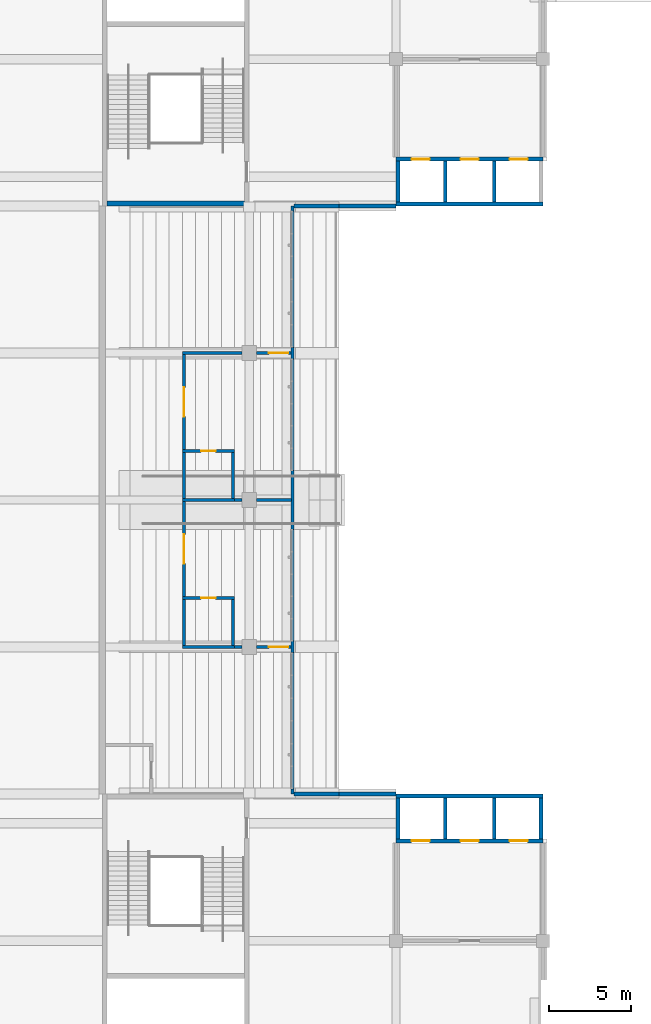
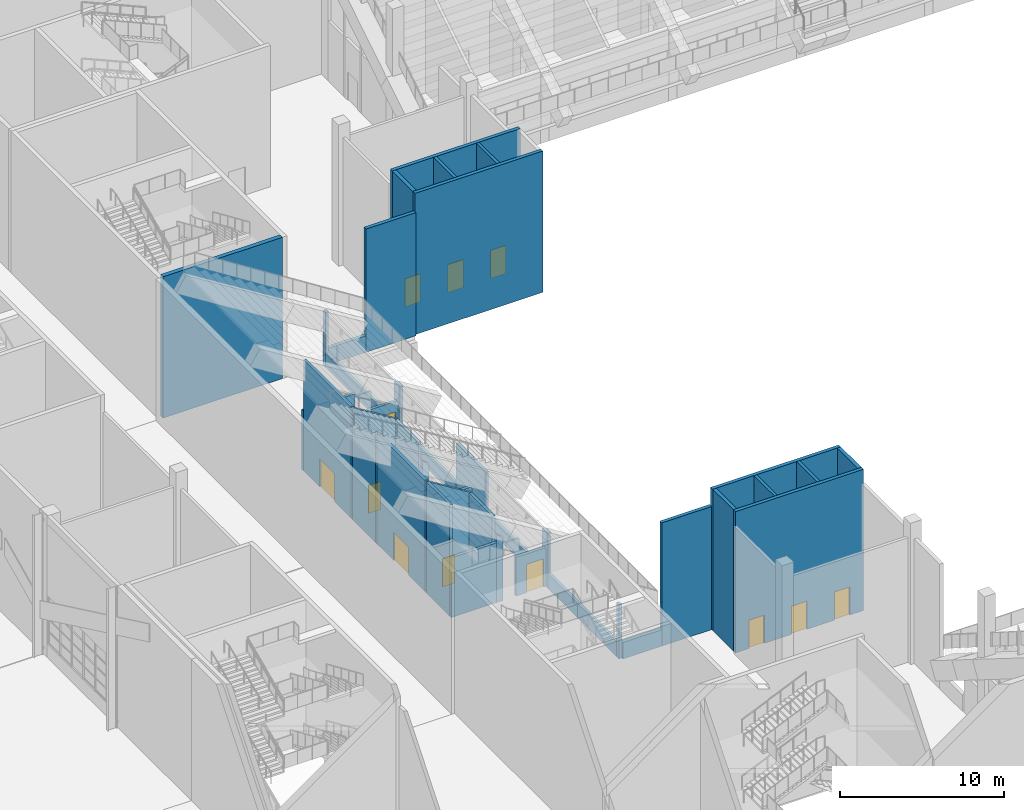
# One storey, part 84 of 182: 41 walls, 12 doors, 12 openings.
"""IFC4 building model written with IfcOpenShell, lengths in metres."""

from ifc_helpers import new_model, si_unit, direction, frame, frame_2d, origin, place, context, subcontext, project, spatial, polyline, rectangle, outline, extrude, material, layer, layer_set, type_object, element, fill, save


model = new_model("IFC4")

# Units and contexts
model_context = context("Model", 3, precision=1e-05, world=origin(), true_north=direction((0.0, 1.0)))
body_context = subcontext(model_context, "Body", "Model", "MODEL_VIEW")
ifc_project = project(units=[si_unit("LENGTHUNIT", "METRE"), si_unit("AREAUNIT", "SQUARE_METRE"), si_unit("VOLUMEUNIT", "CUBIC_METRE"), si_unit("PLANEANGLEUNIT", "RADIAN"), si_unit("MASSUNIT", "GRAM", prefix="KILO")], contexts=[model_context])

# Site, building, storey
site_placement = place(None, origin())
site = spatial("IfcSite", under=ifc_project, at=site_placement, CompositionType="ELEMENT")
building_placement = place(site_placement, origin())
building = spatial("IfcBuilding", under=site, at=building_placement, Name="Silverbay Arena", CompositionType="ELEMENT")
storey_placement = place(building_placement, frame((0.0, 0.0, 11.5)))
storey = spatial("IfcBuildingStorey", under=building, at=storey_placement, Name="L02", CompositionType="ELEMENT", Elevation=11.5)

# Walls
ifc_material_1 = material(Name="Concrete Grade C45", Category="concrete")
ifc_layer_1 = layer(ifc_material_1, 0.25)
ifc_layer_set_1 = layer_set([ifc_layer_1], Name="Concrete Grade C45")
wall_type_1 = type_object("IfcWallType", Name="Bowl enclosure wall RC 250 EI 120", PredefinedType="SOLIDWALL", material=ifc_layer_set_1)
for number, where, z_axis, x_axis, name in (
    (1, (86.5, 63.0, 0.0), (0.0, 0.0, 1.0), (1.0, 0.0, 0.0), "Bowl enclosure wall, corner block SW-y"),
    (2, (86.5, 99.0, 0.0), (0.0, 0.0, 1.0), (1.0, 0.0, 0.0), "Bowl enclosure wall, corner block NW-y"),
):
    element("IfcWall", number, at=place(storey_placement, frame(where, z_axis=z_axis, x_axis=x_axis)), inside=storey, type_object=wall_type_1, Name=name, PredefinedType="SOLIDWALL", context=body_context, shape_type="SweptSolid", body=[
        extrude(rectangle(XDim=3.5, YDim=0.25, at=frame_2d((1.75, 0.0))), origin(), (0.0, 0.0, 1.0), 9.14990234375),
    ])
for number, where, z_axis, x_axis, name in (
    (3, (83.75, 63.0, 0.0), (0.0, 0.0, 1.0), (1.0, 0.0, 0.0), "Bowl enclosure wall, corner block SW-y"),
    (4, (83.75, 99.0, 0.0), (0.0, 0.0, 1.0), (1.0, 0.0, 0.0), "Bowl enclosure wall, corner block NW-y"),
):
    element("IfcWall", number, at=place(storey_placement, frame(where, z_axis=z_axis, x_axis=x_axis)), inside=storey, type_object=wall_type_1, Name=name, PredefinedType="SOLIDWALL", context=body_context, shape_type="SweptSolid", body=[
        extrude(rectangle(XDim=2.75, YDim=0.25, at=frame_2d((1.375, 0.0))), origin(), (0.0, 0.0, 1.0), 1.217041015625),
    ])
ifc_material_2 = material(Name="Concrete Grade C45", Category="concrete")
ifc_layer_2 = layer(ifc_material_2, 0.300048828125)
ifc_layer_set_2 = layer_set([ifc_layer_2], Name="Concrete Grade C45")
wall_type_2 = type_object("IfcWallType", Name="Core wall RC 300 EI 120", PredefinedType="SHEAR", material=ifc_layer_set_2)
wall_1_placement = place(storey_placement, frame((80.699951171875, 99.14990234375, 0.0), z_axis=(0.0, 0.0, 1.0), x_axis=(-1.0, 0.0, 0.0)))
element("IfcWall", 5, at=wall_1_placement, inside=storey, type_object=wall_type_2, Name="Core wall ST-NW2 L02 end 1", PredefinedType="SHEAR", context=body_context, shape_type="SweptSolid", body=[
    extrude(rectangle(XDim=8.39990234375, YDim=0.300048828125, at=frame_2d((4.199951171875, 0.0))), origin(), (0.0, 0.0, 1.0), 10.5),
])
ifc_material_3 = material(Name="Concrete Grade C45", Category="concrete")
ifc_layer_3 = layer(ifc_material_3, 0.199951171875)
ifc_layer_set_3 = layer_set([ifc_layer_3], Name="Concrete Grade C45")
wall_type_3 = type_object("IfcWallType", Name="Lift shaft divider RC 200 EI 120", PredefinedType="SHEAR", material=ifc_layer_set_3)
for number, where, z_axis, x_axis, name in (
    (6, (93.0, 60.25, 0.0), (0.0, 0.0, 1.0), (0.0, 1.0, 0.0), "Lift shaft divider LB-SW L02 1"),
    (7, (96.0, 60.25, 0.0), (0.0, 0.0, 1.0), (0.0, 1.0, 0.0), "Lift shaft divider LB-SW L02 2"),
    (8, (93.0, 99.25, 0.0), (0.0, 0.0, 1.0), (0.0, 1.0, 0.0), "Lift shaft divider LB-NW L02 1"),
    (9, (96.0, 99.25, 0.0), (0.0, 0.0, 1.0), (0.0, 1.0, 0.0), "Lift shaft divider LB-NW L02 2"),
):
    element("IfcWall", number, at=place(storey_placement, frame(where, z_axis=z_axis, x_axis=x_axis)), inside=storey, type_object=wall_type_3, Name=name, PredefinedType="SHEAR", context=body_context, shape_type="SweptSolid", body=[
        extrude(rectangle(XDim=2.5, YDim=0.199951171875, at=frame_2d((1.25, 0.0))), origin(), (0.0, 0.0, 1.0), 10.5),
    ])

# Wall, openings, doors
ifc_material_4 = material(Name="Concrete Grade C45", Category="concrete")
ifc_layer_4 = layer(ifc_material_4, 0.25)
ifc_layer_set_4 = layer_set([ifc_layer_4], Name="Concrete Grade C45")
wall_type_4 = type_object("IfcWallType", Name="Lift shaft wall RC 250 EI 120", PredefinedType="SHEAR", material=ifc_layer_set_4)
wall_2_placement = place(storey_placement, frame((90.0, 60.125, 0.0), z_axis=(0.0, 0.0, 1.0), x_axis=(1.0, 0.0, 0.0)))
wall_2 = element("IfcWall", 10, at=wall_2_placement, inside=storey, type_object=wall_type_4, Name="Lift shaft wall LB-SW L02 landing side", PredefinedType="SHEAR", context=body_context, shape_type="SweptSolid", body=[
    extrude(rectangle(XDim=9.0, YDim=0.25, at=frame_2d((4.5, 0.0))), origin(), (0.0, 0.0, 1.0), 10.5),
])
opening_1_placement = place(wall_2_placement, frame((0.949951171875, 0.0, 0.0)))
opening_1 = element("IfcOpeningElement", 11, at=opening_1_placement, cuts=wall_2, Name="Opening L02-099", PredefinedType="OPENING", context=body_context, shape_type="SweptSolid", body=[
    extrude(rectangle(XDim=1.10009765625, YDim=2.10009765625, at=frame_2d((0.550048828125, 1.050048828125))), frame((0.0, 0.135009765625, 0.0), z_axis=(0.0, -1.0, 0.0), x_axis=(1.0, 0.0, 0.0)), (0.0, 0.0, 1.0), 0.27001953125),
])
opening_2_placement = place(wall_2_placement, frame((3.949951171875, 0.0, 0.0)))
opening_2 = element("IfcOpeningElement", 12, at=opening_2_placement, cuts=wall_2, Name="Opening L02-100", PredefinedType="OPENING", context=body_context, shape_type="SweptSolid", body=[
    extrude(rectangle(XDim=1.10009765625, YDim=2.10009765625, at=frame_2d((0.550048828125, 1.050048828125))), frame((0.0, 0.135009765625, 0.0), z_axis=(0.0, -1.0, 0.0), x_axis=(1.0, 0.0, 0.0)), (0.0, 0.0, 1.0), 0.27001953125),
])
opening_3_placement = place(wall_2_placement, frame((6.949951171875, 0.0, 0.0)))
opening_3 = element("IfcOpeningElement", 13, at=opening_3_placement, cuts=wall_2, Name="Opening L02-101", PredefinedType="OPENING", context=body_context, shape_type="SweptSolid", body=[
    extrude(rectangle(XDim=1.10009765625, YDim=2.10009765625, at=frame_2d((0.550048828125, 1.050048828125))), frame((0.0, 0.135009765625, 0.0), z_axis=(0.0, -1.0, 0.0), x_axis=(1.0, 0.0, 0.0)), (0.0, 0.0, 1.0), 0.27001953125),
])
ifc_material_5 = material(Name="Stainless steel", Category="steel")
door_type_1 = type_object("IfcDoorType", Name="LD1 lift landing door 1100 x 2100", OperationType="DOUBLE_DOOR_SLIDING", PredefinedType="DOOR", material=ifc_material_5)
door_1_placement = place(opening_1_placement, origin())
door_1 = element("IfcDoor", 14, at=door_1_placement, inside=storey, type_object=door_type_1, Name="Lift landing door LF2 L02", OperationType="DOUBLE_DOOR_SLIDING", OverallHeight=2.10009765625, OverallWidth=1.10009765625, PredefinedType="DOOR", context=body_context, shape_type="SweptSolid", body=[
    extrude(rectangle(XDim=1.10009765625, YDim=2.10009765625, at=frame_2d((0.550048828125, 1.050048828125))), frame((0.0, 0.02490234375, 0.0), z_axis=(0.0, -1.0, 0.0), x_axis=(1.0, 0.0, 0.0)), (0.0, 0.0, 1.0), 0.050048828125),
])
fill(opening_1, door_1)
door_2_placement = place(opening_2_placement, origin())
door_2 = element("IfcDoor", 15, at=door_2_placement, inside=storey, type_object=door_type_1, Name="Lift landing door LF4 L02", OperationType="DOUBLE_DOOR_SLIDING", OverallHeight=2.10009765625, OverallWidth=1.10009765625, PredefinedType="DOOR", context=body_context, shape_type="SweptSolid", body=[
    extrude(rectangle(XDim=1.10009765625, YDim=2.10009765625, at=frame_2d((0.550048828125, 1.050048828125))), frame((0.0, 0.02490234375, 0.0), z_axis=(0.0, -1.0, 0.0), x_axis=(1.0, 0.0, 0.0)), (0.0, 0.0, 1.0), 0.050048828125),
])
fill(opening_2, door_2)
door_3_placement = place(opening_3_placement, origin())
door_3 = element("IfcDoor", 16, at=door_3_placement, inside=storey, type_object=door_type_1, Name="Lift landing door LF5 L02", OperationType="DOUBLE_DOOR_SLIDING", OverallHeight=2.10009765625, OverallWidth=1.10009765625, PredefinedType="DOOR", context=body_context, shape_type="SweptSolid", body=[
    extrude(rectangle(XDim=1.10009765625, YDim=2.10009765625, at=frame_2d((0.550048828125, 1.050048828125))), frame((0.0, 0.02490234375, 0.0), z_axis=(0.0, -1.0, 0.0), x_axis=(1.0, 0.0, 0.0)), (0.0, 0.0, 1.0), 0.050048828125),
])
fill(opening_3, door_3)

# Walls
wall_3_placement = place(storey_placement, frame((90.0, 62.875, 0.0), z_axis=(0.0, 0.0, 1.0), x_axis=(1.0, 0.0, 0.0)))
element("IfcWall", 17, at=wall_3_placement, inside=storey, type_object=wall_type_4, Name="Lift shaft wall LB-SW L02 back", PredefinedType="SHEAR", context=body_context, shape_type="SweptSolid", body=[
    extrude(rectangle(XDim=9.0, YDim=0.25, at=frame_2d((4.5, 0.0))), origin(), (0.0, 0.0, 1.0), 10.5),
])
for number, where, z_axis, x_axis, name in (
    (18, (90.125, 60.25, 0.0), (0.0, 0.0, 1.0), (0.0, 1.0, 0.0), "Lift shaft wall LB-SW L02 end"),
    (19, (98.875, 60.25, 0.0), (0.0, 0.0, 1.0), (0.0, 1.0, 0.0), "Lift shaft wall LB-SW L02 end"),
):
    element("IfcWall", number, at=place(storey_placement, frame(where, z_axis=z_axis, x_axis=x_axis)), inside=storey, type_object=wall_type_4, Name=name, PredefinedType="SHEAR", context=body_context, shape_type="SweptSolid", body=[
        extrude(rectangle(XDim=2.5, YDim=0.25, at=frame_2d((1.25, 0.0))), origin(), (0.0, 0.0, 1.0), 10.5),
    ])

# Wall, openings, doors
wall_4_placement = place(storey_placement, frame((90.0, 101.875, 0.0), z_axis=(0.0, 0.0, 1.0), x_axis=(1.0, 0.0, 0.0)))
wall_4 = element("IfcWall", 20, at=wall_4_placement, inside=storey, type_object=wall_type_4, Name="Lift shaft wall LB-NW L02 landing side", PredefinedType="SHEAR", context=body_context, shape_type="SweptSolid", body=[
    extrude(rectangle(XDim=9.0, YDim=0.25, at=frame_2d((4.5, 0.0))), origin(), (0.0, 0.0, 1.0), 10.5),
])
opening_4_placement = place(wall_4_placement, frame((0.949951171875, 0.0, 0.0)))
opening_4 = element("IfcOpeningElement", 21, at=opening_4_placement, cuts=wall_4, Name="Opening L02-105", PredefinedType="OPENING", context=body_context, shape_type="SweptSolid", body=[
    extrude(rectangle(XDim=1.10009765625, YDim=2.10009765625, at=frame_2d((0.550048828125, 1.050048828125))), frame((0.0, 0.135009765625, 0.0), z_axis=(0.0, -1.0, 0.0), x_axis=(1.0, 0.0, 0.0)), (0.0, 0.0, 1.0), 0.27001953125),
])
opening_5_placement = place(wall_4_placement, frame((3.949951171875, 0.0, 0.0)))
opening_5 = element("IfcOpeningElement", 22, at=opening_5_placement, cuts=wall_4, Name="Opening L02-106", PredefinedType="OPENING", context=body_context, shape_type="SweptSolid", body=[
    extrude(rectangle(XDim=1.10009765625, YDim=2.10009765625, at=frame_2d((0.550048828125, 1.050048828125))), frame((0.0, 0.135009765625, 0.0), z_axis=(0.0, -1.0, 0.0), x_axis=(1.0, 0.0, 0.0)), (0.0, 0.0, 1.0), 0.27001953125),
])
opening_6_placement = place(wall_4_placement, frame((6.949951171875, 0.0, 0.0)))
opening_6 = element("IfcOpeningElement", 23, at=opening_6_placement, cuts=wall_4, Name="Opening L02-107", PredefinedType="OPENING", context=body_context, shape_type="SweptSolid", body=[
    extrude(rectangle(XDim=1.10009765625, YDim=2.10009765625, at=frame_2d((0.550048828125, 1.050048828125))), frame((0.0, 0.135009765625, 0.0), z_axis=(0.0, -1.0, 0.0), x_axis=(1.0, 0.0, 0.0)), (0.0, 0.0, 1.0), 0.27001953125),
])
door_4_placement = place(opening_4_placement, origin())
door_4 = element("IfcDoor", 24, at=door_4_placement, inside=storey, type_object=door_type_1, Name="Lift landing door LF9 L02", OperationType="DOUBLE_DOOR_SLIDING", OverallHeight=2.10009765625, OverallWidth=1.10009765625, PredefinedType="DOOR", context=body_context, shape_type="SweptSolid", body=[
    extrude(rectangle(XDim=1.10009765625, YDim=2.10009765625, at=frame_2d((0.550048828125, 1.050048828125))), frame((0.0, 0.02490234375, 0.0), z_axis=(0.0, -1.0, 0.0), x_axis=(1.0, 0.0, 0.0)), (0.0, 0.0, 1.0), 0.050048828125),
])
fill(opening_4, door_4)
door_5_placement = place(opening_5_placement, origin())
door_5 = element("IfcDoor", 25, at=door_5_placement, inside=storey, type_object=door_type_1, Name="Lift landing door LF10 L02", OperationType="DOUBLE_DOOR_SLIDING", OverallHeight=2.10009765625, OverallWidth=1.10009765625, PredefinedType="DOOR", context=body_context, shape_type="SweptSolid", body=[
    extrude(rectangle(XDim=1.10009765625, YDim=2.10009765625, at=frame_2d((0.550048828125, 1.050048828125))), frame((0.0, 0.02490234375, 0.0), z_axis=(0.0, -1.0, 0.0), x_axis=(1.0, 0.0, 0.0)), (0.0, 0.0, 1.0), 0.050048828125),
])
fill(opening_5, door_5)
door_6_placement = place(opening_6_placement, origin())
door_6 = element("IfcDoor", 26, at=door_6_placement, inside=storey, type_object=door_type_1, Name="Lift landing door LF11 L02", OperationType="DOUBLE_DOOR_SLIDING", OverallHeight=2.10009765625, OverallWidth=1.10009765625, PredefinedType="DOOR", context=body_context, shape_type="SweptSolid", body=[
    extrude(rectangle(XDim=1.10009765625, YDim=2.10009765625, at=frame_2d((0.550048828125, 1.050048828125))), frame((0.0, 0.02490234375, 0.0), z_axis=(0.0, -1.0, 0.0), x_axis=(1.0, 0.0, 0.0)), (0.0, 0.0, 1.0), 0.050048828125),
])
fill(opening_6, door_6)

# Walls
wall_5_placement = place(storey_placement, frame((90.0, 99.125, 0.0), z_axis=(0.0, 0.0, 1.0), x_axis=(1.0, 0.0, 0.0)))
element("IfcWall", 27, at=wall_5_placement, inside=storey, type_object=wall_type_4, Name="Lift shaft wall LB-NW L02 back", PredefinedType="SHEAR", context=body_context, shape_type="SweptSolid", body=[
    extrude(rectangle(XDim=9.0, YDim=0.25, at=frame_2d((4.5, 0.0))), origin(), (0.0, 0.0, 1.0), 10.5),
])
wall_6_placement = place(storey_placement, frame((90.125, 99.25, 0.0), z_axis=(0.0, 0.0, 1.0), x_axis=(0.0, 1.0, 0.0)))
element("IfcWall", 28, at=wall_6_placement, inside=storey, type_object=wall_type_4, Name="Lift shaft wall LB-NW L02 end", PredefinedType="SHEAR", context=body_context, shape_type="SweptSolid", body=[
    extrude(rectangle(XDim=2.5, YDim=0.25, at=frame_2d((1.25, 0.0))), origin(), (0.0, 0.0, 1.0), 10.5),
])
ifc_material_6 = material(Name="Masonry blockwork partition", Category="masonry")
ifc_layer_5 = layer(ifc_material_6, 0.199951171875)
ifc_layer_set_5 = layer_set([ifc_layer_5], Name="Masonry blockwork partition")
wall_type_5 = type_object("IfcWallType", Name="Partition 200 EI 120", PredefinedType="PARTITIONING", material=ifc_layer_set_5)
wall_7_placement = place(storey_placement, frame((76.89990234375, 81.0, 0.0), z_axis=(0.0, 0.0, 1.0), x_axis=(1.0, 0.0, 0.0)))
element("IfcWall", 29, at=wall_7_placement, inside=storey, type_object=wall_type_5, Name="Partition wall", PredefinedType="PARTITIONING", context=body_context, shape_type="SweptSolid", body=[
    extrude(rectangle(XDim=3.2001953125, YDim=0.199951171875, at=frame_2d((1.60009765625, 0.0))), origin(), (0.0, 0.0, 1.0), 4.43896484375),
])

# Wall, opening, door
wall_8_placement = place(storey_placement, frame((77.0, 75.10009765625, 0.0), z_axis=(0.0, 0.0, 1.0), x_axis=(0.0, 1.0, 0.0)))
wall_8 = element("IfcWall", 30, at=wall_8_placement, inside=storey, type_object=wall_type_5, Name="Partition wall", PredefinedType="PARTITIONING", context=body_context, shape_type="SweptSolid", body=[
    extrude(rectangle(XDim=5.7998046875, YDim=0.199951171875, at=frame_2d((2.89990234375, 0.0))), origin(), (0.0, 0.0, 1.0), 8.257568359375),
])
opening_7_placement = place(wall_8_placement, frame((2.0, 0.0, 0.0)))
opening_7 = element("IfcOpeningElement", 31, at=opening_7_placement, cuts=wall_8, Name="Opening L02-054", PredefinedType="OPENING", context=body_context, shape_type="SweptSolid", body=[
    extrude(rectangle(XDim=1.800048828125, YDim=2.10009765625, at=frame_2d((0.89990234375, 1.050048828125))), frame((0.0, 0.10986328125, 0.0), z_axis=(0.0, -1.0, 0.0), x_axis=(1.0, 0.0, 0.0)), (0.0, 0.0, 1.0), 0.219970703125),
])
ifc_material_7 = material(Name="Steel faced timber", Category="steel")
door_type_2 = type_object("IfcDoorType", Name="Double leaf door 1800 x 2100 FD120", OperationType="DOUBLE_DOOR_DOUBLE_SWING", PredefinedType="DOOR", material=ifc_material_7)
door_7_placement = place(opening_7_placement, frame((1.800048828125, 0.0, 0.0), z_axis=(0.0, 0.0, 1.0), x_axis=(-1.0, 0.0, 0.0)))
door_7 = element("IfcDoor", 32, at=door_7_placement, inside=storey, type_object=door_type_2, Name="Door L02-054", OperationType="DOUBLE_DOOR_DOUBLE_SWING", OverallHeight=2.10009765625, OverallWidth=1.800048828125, PredefinedType="DOOR", context=body_context, shape_type="SweptSolid", body=[
    extrude(rectangle(XDim=1.800048828125, YDim=2.10009765625, at=frame_2d((0.89990234375, 1.050048828125))), frame((0.0, 0.02490234375, 0.0), z_axis=(0.0, -1.0, 0.0), x_axis=(1.0, 0.0, 0.0)), (0.0, 0.0, 1.0), 0.050048828125),
])
fill(opening_7, door_7)

wall_9_placement = place(storey_placement, frame((77.0, 84.10009765625, 0.0), z_axis=(0.0, 0.0, 1.0), x_axis=(0.0, 1.0, 0.0)))
wall_9 = element("IfcWall", 33, at=wall_9_placement, inside=storey, type_object=wall_type_5, Name="Partition wall", PredefinedType="PARTITIONING", context=body_context, shape_type="SweptSolid", body=[
    extrude(rectangle(XDim=5.7998046875, YDim=0.199951171875, at=frame_2d((2.89990234375, 0.0))), origin(), (0.0, 0.0, 1.0), 8.257568359375),
])
opening_8_placement = place(wall_9_placement, frame((2.0, 0.0, 0.0)))
opening_8 = element("IfcOpeningElement", 34, at=opening_8_placement, cuts=wall_9, Name="Opening L02-056", PredefinedType="OPENING", context=body_context, shape_type="SweptSolid", body=[
    extrude(rectangle(XDim=1.800048828125, YDim=2.10009765625, at=frame_2d((0.89990234375, 1.050048828125))), frame((0.0, 0.10986328125, 0.0), z_axis=(0.0, -1.0, 0.0), x_axis=(1.0, 0.0, 0.0)), (0.0, 0.0, 1.0), 0.219970703125),
])
door_8_placement = place(opening_8_placement, frame((1.800048828125, 0.0, 0.0), z_axis=(0.0, 0.0, 1.0), x_axis=(-1.0, 0.0, 0.0)))
door_8 = element("IfcDoor", 35, at=door_8_placement, inside=storey, type_object=door_type_2, Name="Door L02-056", OperationType="DOUBLE_DOOR_DOUBLE_SWING", OverallHeight=2.10009765625, OverallWidth=1.800048828125, PredefinedType="DOOR", context=body_context, shape_type="SweptSolid", body=[
    extrude(rectangle(XDim=1.800048828125, YDim=2.10009765625, at=frame_2d((0.89990234375, 1.050048828125))), frame((0.0, 0.02490234375, 0.0), z_axis=(0.0, -1.0, 0.0), x_axis=(1.0, 0.0, 0.0)), (0.0, 0.0, 1.0), 0.050048828125),
])
fill(opening_8, door_8)

ifc_material_8 = material(Name="Gypsum board partition on steel studs", Category="steel")
ifc_layer_6 = layer(ifc_material_8, 0.199951171875)
ifc_layer_set_6 = layer_set([ifc_layer_6], Name="Gypsum board partition on steel studs")
wall_type_6 = type_object("IfcWallType", Name="Partition 200 EI 60", PredefinedType="PARTITIONING", material=ifc_layer_set_6)
wall_10_placement = place(storey_placement, frame((81.449951171875, 72.0, 0.0), z_axis=(0.0, 0.0, 1.0), x_axis=(1.0, 0.0, 0.0)))
wall_10 = element("IfcWall", 36, at=wall_10_placement, inside=storey, type_object=wall_type_6, Name="Partition wall", PredefinedType="PARTITIONING", context=body_context, shape_type="SweptSolid", body=[
    extrude(outline(polyline([(0.0, 0.0), (2.150146484375, 0.0), (2.14990234375, 2.83251953125), (2.0791015625, 2.876953125), (0.0, 2.876953125), (0.0, 0.0)])), frame((0.0, 0.10009765625, 0.0), z_axis=(0.0, -1.0, 0.0), x_axis=(1.0, 0.0, 0.0)), (0.0, 0.0, 1.0), 0.199951171875),
])
opening_9_placement = place(wall_10_placement, frame((0.75, 0.0, 0.0)))
opening_9 = element("IfcOpeningElement", 37, at=opening_9_placement, cuts=wall_10, Name="Opening L02-071", PredefinedType="OPENING", context=body_context, shape_type="SweptSolid", body=[
    extrude(rectangle(XDim=1.199951171875, YDim=2.10009765625, at=frame_2d((0.60009765625, 1.050048828125))), frame((0.0, 0.10986328125, 0.0), z_axis=(0.0, -1.0, 0.0), x_axis=(1.0, 0.0, 0.0)), (0.0, 0.0, 1.0), 0.219970703125),
])
ifc_material_9 = material(Name="Steel faced timber", Category="steel")
door_type_3 = type_object("IfcDoorType", Name="Double leaf door 1200 x 2100 FD120", OperationType="DOUBLE_DOOR_DOUBLE_SWING", PredefinedType="DOOR", material=ifc_material_9)
door_9_placement = place(opening_9_placement, origin())
door_9 = element("IfcDoor", 38, at=door_9_placement, inside=storey, type_object=door_type_3, Name="Door L02-071", OperationType="DOUBLE_DOOR_DOUBLE_SWING", OverallHeight=2.10009765625, OverallWidth=1.199951171875, PredefinedType="DOOR", context=body_context, shape_type="SweptSolid", body=[
    extrude(rectangle(XDim=1.199951171875, YDim=2.10009765625, at=frame_2d((0.60009765625, 1.050048828125))), frame((0.0, 0.02490234375, 0.0), z_axis=(0.0, -1.0, 0.0), x_axis=(1.0, 0.0, 0.0)), (0.0, 0.0, 1.0), 0.050048828125),
])
fill(opening_9, door_9)

# Walls
wall_11_placement = place(storey_placement, frame((80.10009765625, 72.0, 0.0), z_axis=(0.0, 0.0, 1.0), x_axis=(1.0, 0.0, 0.0)))
element("IfcWall", 39, at=wall_11_placement, inside=storey, type_object=wall_type_6, Name="Partition wall", PredefinedType="PARTITIONING", context=body_context, shape_type="SweptSolid", body=[
    extrude(outline(polyline([(0.0, 0.0), (0.449951171875, 0.0), (0.449951171875, 4.73876953125), (0.0, 5.02001953125), (0.0, 0.0)])), frame((0.0, 0.10009765625, 0.0), z_axis=(0.0, -1.0, 0.0), x_axis=(1.0, 0.0, 0.0)), (0.0, 0.0, 1.0), 0.199951171875),
])
wall_12_placement = place(storey_placement, frame((81.449951171875, 81.0, 0.0), z_axis=(0.0, 0.0, 1.0), x_axis=(1.0, 0.0, 0.0)))
element("IfcWall", 40, at=wall_12_placement, inside=storey, type_object=wall_type_6, Name="Partition wall", PredefinedType="PARTITIONING", context=body_context, shape_type="SweptSolid", body=[
    extrude(rectangle(XDim=2.150146484375, YDim=0.199951171875, at=frame_2d((1.0751953125, 0.0))), origin(), (0.0, 0.0, 1.0), 1.93896484375),
])
wall_13_placement = place(storey_placement, frame((80.10009765625, 81.0, 0.0), z_axis=(0.0, 0.0, 1.0), x_axis=(1.0, 0.0, 0.0)))
element("IfcWall", 41, at=wall_13_placement, inside=storey, type_object=wall_type_6, Name="Partition wall", PredefinedType="PARTITIONING", context=body_context, shape_type="SweptSolid", body=[
    extrude(outline(polyline([(0.0, 0.0), (0.449951171875, 0.0), (0.449951171875, 4.73876953125), (0.0, 5.02001953125), (0.0, 0.0)])), frame((0.0, 0.10009765625, 0.0), z_axis=(0.0, -1.0, 0.0), x_axis=(1.0, 0.0, 0.0)), (0.0, 0.0, 1.0), 0.199951171875),
])

# Wall, opening, door
wall_14_placement = place(storey_placement, frame((81.449951171875, 90.0, 0.0), z_axis=(0.0, 0.0, 1.0), x_axis=(1.0, 0.0, 0.0)))
wall_14 = element("IfcWall", 42, at=wall_14_placement, inside=storey, type_object=wall_type_6, Name="Partition wall", PredefinedType="PARTITIONING", context=body_context, shape_type="SweptSolid", body=[
    extrude(outline(polyline([(0.0, 0.0), (2.150146484375, 0.0), (2.14990234375, 2.83251953125), (2.0791015625, 2.876953125), (0.0, 2.876953125), (0.0, 0.0)])), frame((0.0, 0.10009765625, 0.0), z_axis=(0.0, -1.0, 0.0), x_axis=(1.0, 0.0, 0.0)), (0.0, 0.0, 1.0), 0.199951171875),
])
opening_10_placement = place(wall_14_placement, frame((0.75, 0.0, 0.0)))
opening_10 = element("IfcOpeningElement", 43, at=opening_10_placement, cuts=wall_14, Name="Opening L02-072", PredefinedType="OPENING", context=body_context, shape_type="SweptSolid", body=[
    extrude(rectangle(XDim=1.199951171875, YDim=2.10009765625, at=frame_2d((0.60009765625, 1.050048828125))), frame((0.0, 0.10986328125, 0.0), z_axis=(0.0, -1.0, 0.0), x_axis=(1.0, 0.0, 0.0)), (0.0, 0.0, 1.0), 0.219970703125),
])
door_10_placement = place(opening_10_placement, frame((1.199951171875, 0.0, 0.0), z_axis=(0.0, 0.0, 1.0), x_axis=(-1.0, 0.0, 0.0)))
door_10 = element("IfcDoor", 44, at=door_10_placement, inside=storey, type_object=door_type_3, Name="Door L02-072", OperationType="DOUBLE_DOOR_DOUBLE_SWING", OverallHeight=2.10009765625, OverallWidth=1.199951171875, PredefinedType="DOOR", context=body_context, shape_type="SweptSolid", body=[
    extrude(rectangle(XDim=1.199951171875, YDim=2.10009765625, at=frame_2d((0.60009765625, 1.050048828125))), frame((0.0, 0.02490234375, 0.0), z_axis=(0.0, -1.0, 0.0), x_axis=(1.0, 0.0, 0.0)), (0.0, 0.0, 1.0), 0.050048828125),
])
fill(opening_10, door_10)

# Walls
wall_15_placement = place(storey_placement, frame((76.89990234375, 90.0, 0.0), z_axis=(0.0, 0.0, 1.0), x_axis=(1.0, 0.0, 0.0)))
element("IfcWall", 45, at=wall_15_placement, inside=storey, type_object=wall_type_6, Name="Partition wall", PredefinedType="PARTITIONING", context=body_context, shape_type="SweptSolid", body=[
    extrude(rectangle(XDim=3.650146484375, YDim=0.199951171875, at=frame_2d((1.8251953125, 0.0))), origin(), (0.0, 0.0, 1.0), 4.43896484375),
])
ifc_material_10 = material(Name="Gypsum board partition on steel studs", Category="steel")
ifc_layer_7 = layer(ifc_material_10, 0.199951171875)
ifc_layer_set_7 = layer_set([ifc_layer_7], Name="Gypsum board partition on steel studs")
wall_type_7 = type_object("IfcWallType", Name="Partition 200 plain", PredefinedType="PARTITIONING", material=ifc_layer_set_7)
wall_16_placement = place(storey_placement, frame((76.89990234375, 72.0, 0.0), z_axis=(0.0, 0.0, 1.0), x_axis=(1.0, 0.0, 0.0)))
element("IfcWall", 46, at=wall_16_placement, inside=storey, type_object=wall_type_7, Name="Partition wall", PredefinedType="PARTITIONING", context=body_context, shape_type="SweptSolid", body=[
    extrude(rectangle(XDim=3.2001953125, YDim=0.199951171875, at=frame_2d((1.60009765625, 0.0))), origin(), (0.0, 0.0, 1.0), 4.43896484375),
])

# Wall, opening, door
wall_17_placement = place(storey_placement, frame((76.89990234375, 75.0, 0.0), z_axis=(0.0, 0.0, 1.0), x_axis=(1.0, 0.0, 0.0)))
wall_17 = element("IfcWall", 47, at=wall_17_placement, inside=storey, type_object=wall_type_7, Name="Partition wall", PredefinedType="PARTITIONING", context=body_context, shape_type="SweptSolid", body=[
    extrude(outline(polyline([(0.0, 0.0), (3.2001953125, 0.0), (3.199951171875, 6.320068359375), (2.28564453125, 6.891357421875), (0.0, 8.320068359375), (0.0, 0.0)])), frame((0.0, 0.10009765625, 0.0), z_axis=(0.0, -1.0, 0.0), x_axis=(1.0, 0.0, 0.0)), (0.0, 0.0, 1.0), 0.199951171875),
])
opening_11_placement = place(wall_17_placement, frame((1.14990234375, 0.0, 0.0)))
opening_11 = element("IfcOpeningElement", 48, at=opening_11_placement, cuts=wall_17, Name="Opening L02-055", PredefinedType="OPENING", context=body_context, shape_type="SweptSolid", body=[
    extrude(rectangle(XDim=0.89990234375, YDim=2.10009765625, at=frame_2d((0.449951171875, 1.050048828125))), frame((0.0, 0.10986328125, 0.0), z_axis=(0.0, -1.0, 0.0), x_axis=(1.0, 0.0, 0.0)), (0.0, 0.0, 1.0), 0.219970703125),
])
ifc_material_11 = material(Name="Timber", Category="wood")
door_type_4 = type_object("IfcDoorType", Name="Single leaf door 900 x 2100", OperationType="SINGLE_SWING_LEFT", PredefinedType="DOOR", material=ifc_material_11)
door_11_placement = place(opening_11_placement, frame((0.89990234375, 0.0, 0.0), z_axis=(0.0, 0.0, 1.0), x_axis=(-1.0, 0.0, 0.0)))
door_11 = element("IfcDoor", 49, at=door_11_placement, inside=storey, type_object=door_type_4, Name="Door L02-055", OperationType="SINGLE_SWING_RIGHT", OverallHeight=2.10009765625, OverallWidth=0.89990234375, PredefinedType="DOOR", context=body_context, shape_type="SweptSolid", body=[
    extrude(rectangle(XDim=0.89990234375, YDim=2.10009765625, at=frame_2d((0.449951171875, 1.050048828125))), frame((0.0, 0.02490234375, 0.0), z_axis=(0.0, -1.0, 0.0), x_axis=(1.0, 0.0, 0.0)), (0.0, 0.0, 1.0), 0.050048828125),
])
fill(opening_11, door_11)

wall_18_placement = place(storey_placement, frame((76.89990234375, 84.0, 0.0), z_axis=(0.0, 0.0, 1.0), x_axis=(1.0, 0.0, 0.0)))
wall_18 = element("IfcWall", 50, at=wall_18_placement, inside=storey, type_object=wall_type_7, Name="Partition wall", PredefinedType="PARTITIONING", context=body_context, shape_type="SweptSolid", body=[
    extrude(outline(polyline([(0.0, 0.0), (3.2001953125, 0.0), (3.199951171875, 6.320068359375), (2.28564453125, 6.891357421875), (0.0, 8.320068359375), (0.0, 0.0)])), frame((0.0, 0.10009765625, 0.0), z_axis=(0.0, -1.0, 0.0), x_axis=(1.0, 0.0, 0.0)), (0.0, 0.0, 1.0), 0.199951171875),
])
opening_12_placement = place(wall_18_placement, frame((1.14990234375, 0.0, 0.0)))
opening_12 = element("IfcOpeningElement", 51, at=opening_12_placement, cuts=wall_18, Name="Opening L02-057", PredefinedType="OPENING", context=body_context, shape_type="SweptSolid", body=[
    extrude(rectangle(XDim=0.89990234375, YDim=2.10009765625, at=frame_2d((0.449951171875, 1.050048828125))), frame((0.0, 0.10986328125, 0.0), z_axis=(0.0, -1.0, 0.0), x_axis=(1.0, 0.0, 0.0)), (0.0, 0.0, 1.0), 0.219970703125),
])
door_12_placement = place(opening_12_placement, frame((0.89990234375, 0.0, 0.0), z_axis=(0.0, 0.0, 1.0), x_axis=(-1.0, 0.0, 0.0)))
door_12 = element("IfcDoor", 52, at=door_12_placement, inside=storey, type_object=door_type_4, Name="Door L02-057", OperationType="SINGLE_SWING_RIGHT", OverallHeight=2.10009765625, OverallWidth=0.89990234375, PredefinedType="DOOR", context=body_context, shape_type="SweptSolid", body=[
    extrude(rectangle(XDim=0.89990234375, YDim=2.10009765625, at=frame_2d((0.449951171875, 1.050048828125))), frame((0.0, 0.02490234375, 0.0), z_axis=(0.0, -1.0, 0.0), x_axis=(1.0, 0.0, 0.0)), (0.0, 0.0, 1.0), 0.050048828125),
])
fill(opening_12, door_12)

# Walls
for number, where, z_axis, x_axis, name in (
    (53, (77.0, 72.10009765625, 0.0), (0.0, 0.0, 1.0), (0.0, 1.0, 0.0), "Partition wall"),
    (54, (77.0, 81.10009765625, 0.0), (0.0, 0.0, 1.0), (0.0, 1.0, 0.0), "Partition wall"),
):
    element("IfcWall", number, at=place(storey_placement, frame(where, z_axis=z_axis, x_axis=x_axis)), inside=storey, type_object=wall_type_7, Name=name, PredefinedType="PARTITIONING", context=body_context, shape_type="SweptSolid", body=[
        extrude(rectangle(XDim=2.7998046875, YDim=0.199951171875, at=frame_2d((1.39990234375, 0.0))), origin(), (0.0, 0.0, 1.0), 8.257568359375),
    ])
for number, where, z_axis, x_axis, name in (
    (55, (80.0, 72.10009765625, 0.0), (0.0, 0.0, 1.0), (0.0, 1.0, 0.0), "Partition wall"),
    (56, (80.0, 81.10009765625, 0.0), (0.0, 0.0, 1.0), (0.0, 1.0, 0.0), "Partition wall"),
):
    element("IfcWall", number, at=place(storey_placement, frame(where, z_axis=z_axis, x_axis=x_axis)), inside=storey, type_object=wall_type_7, Name=name, PredefinedType="PARTITIONING", context=body_context, shape_type="SweptSolid", body=[
        extrude(rectangle(XDim=2.7998046875, YDim=0.199951171875, at=frame_2d((1.39990234375, 0.0))), origin(), (0.0, 0.0, 1.0), 6.382568359375),
    ])
ifc_material_12 = material(Name="Concrete Grade C45", Category="concrete")
ifc_layer_8 = layer(ifc_material_12, 0.199951171875)
ifc_layer_set_8 = layer_set([ifc_layer_8], Name="Concrete Grade C45")
wall_type_8 = type_object("IfcWallType", Name="Suite front pier wall 200 EI 120", PredefinedType="SOLIDWALL", material=ifc_layer_set_8)
wall_19_placement = place(storey_placement, frame((83.64990234375, 63.0, 0.0), z_axis=(0.0, 0.0, 1.0), x_axis=(0.0, 1.0, 0.0)))
element("IfcWall", 57, at=wall_19_placement, inside=storey, type_object=wall_type_8, Name="West suite front pier 1", PredefinedType="SOLIDWALL", context=body_context, shape_type="SweptSolid", body=[
    extrude(rectangle(XDim=0.300048828125, YDim=0.199951171875, at=frame_2d((0.14990234375, 0.0))), origin(), (0.0, 0.0, 1.0), 4.033935546875),
])
wall_20_placement = place(storey_placement, frame((83.64990234375, 71.64990234375, 0.0), z_axis=(0.0, 0.0, 1.0), x_axis=(0.0, 1.0, 0.0)))
element("IfcWall", 58, at=wall_20_placement, inside=storey, type_object=wall_type_8, Name="West suite front pier 2", PredefinedType="SOLIDWALL", context=body_context, shape_type="SweptSolid", body=[
    extrude(rectangle(XDim=0.7001953125, YDim=0.199951171875, at=frame_2d((0.35009765625, 0.0))), origin(), (0.0, 0.0, 1.0), 4.033935546875),
])
wall_21_placement = place(storey_placement, frame((83.64990234375, 79.199951171875, 0.0), z_axis=(0.0, 0.0, 1.0), x_axis=(0.0, 1.0, 0.0)))
element("IfcWall", 59, at=wall_21_placement, inside=storey, type_object=wall_type_8, Name="West suite front pier 3", PredefinedType="SOLIDWALL", context=body_context, shape_type="SweptSolid", body=[
    extrude(rectangle(XDim=3.60009765625, YDim=0.199951171875, at=frame_2d((1.800048828125, 0.0))), origin(), (0.0, 0.0, 1.0), 4.033935546875),
])
wall_22_placement = place(storey_placement, frame((83.64990234375, 89.64990234375, 0.0), z_axis=(0.0, 0.0, 1.0), x_axis=(0.0, 1.0, 0.0)))
element("IfcWall", 60, at=wall_22_placement, inside=storey, type_object=wall_type_8, Name="West suite front pier 4", PredefinedType="SOLIDWALL", context=body_context, shape_type="SweptSolid", body=[
    extrude(rectangle(XDim=0.7001953125, YDim=0.199951171875, at=frame_2d((0.35009765625, 0.0))), origin(), (0.0, 0.0, 1.0), 4.033935546875),
])
wall_23_placement = place(storey_placement, frame((83.64990234375, 98.699951171875, 0.0), z_axis=(0.0, 0.0, 1.0), x_axis=(0.0, 1.0, 0.0)))
element("IfcWall", 61, at=wall_23_placement, inside=storey, type_object=wall_type_8, Name="West suite front pier 5", PredefinedType="SOLIDWALL", context=body_context, shape_type="SweptSolid", body=[
    extrude(rectangle(XDim=0.300048828125, YDim=0.199951171875, at=frame_2d((0.14990234375, 0.0))), origin(), (0.0, 0.0, 1.0), 4.033935546875),
])
ifc_material_13 = material(Name="Concrete Grade C45", Category="concrete")
ifc_layer_9 = layer(ifc_material_13, 0.199951171875)
ifc_layer_set_9 = layer_set([ifc_layer_9], Name="Concrete Grade C45")
wall_type_9 = type_object("IfcWallType", Name="Suite front spandrel wall 200 EI 120", PredefinedType="SOLIDWALL", material=ifc_layer_set_9)
wall_24_placement = place(storey_placement, frame((83.64990234375, 63.300048828125, 0.0), z_axis=(0.0, 0.0, 1.0), x_axis=(0.0, 1.0, 0.0)))
element("IfcWall", 62, at=wall_24_placement, inside=storey, type_object=wall_type_9, Name="West suite front spandrel 1", PredefinedType="SOLIDWALL", context=body_context, shape_type="SweptSolid", body=[
    extrude(rectangle(XDim=8.349853515625, YDim=0.199951171875, at=frame_2d((4.1748046875, 0.0))), origin(), (0.0, 0.0, 1.0), 1.10009765625),
])
for number, where, z_axis, x_axis, name in (
    (63, (83.64990234375, 72.35009765625, 0.0), (0.0, 0.0, 1.0), (0.0, 1.0, 0.0), "West suite front spandrel 2"),
    (64, (83.64990234375, 82.800048828125, 0.0), (0.0, 0.0, 1.0), (0.0, 1.0, 0.0), "West suite front spandrel 3"),
):
    element("IfcWall", number, at=place(storey_placement, frame(where, z_axis=z_axis, x_axis=x_axis)), inside=storey, type_object=wall_type_9, Name=name, PredefinedType="SOLIDWALL", context=body_context, shape_type="SweptSolid", body=[
        extrude(rectangle(XDim=6.849853515625, YDim=0.199951171875, at=frame_2d((3.4248046875, 0.0))), origin(), (0.0, 0.0, 1.0), 1.10009765625),
    ])
wall_25_placement = place(storey_placement, frame((83.64990234375, 90.35009765625, 0.0), z_axis=(0.0, 0.0, 1.0), x_axis=(0.0, 1.0, 0.0)))
element("IfcWall", 65, at=wall_25_placement, inside=storey, type_object=wall_type_9, Name="West suite front spandrel 4", PredefinedType="SOLIDWALL", context=body_context, shape_type="SweptSolid", body=[
    extrude(rectangle(XDim=8.349853515625, YDim=0.199951171875, at=frame_2d((4.1748046875, 0.0))), origin(), (0.0, 0.0, 1.0), 1.10009765625),
])

save(model, "model.ifc")
